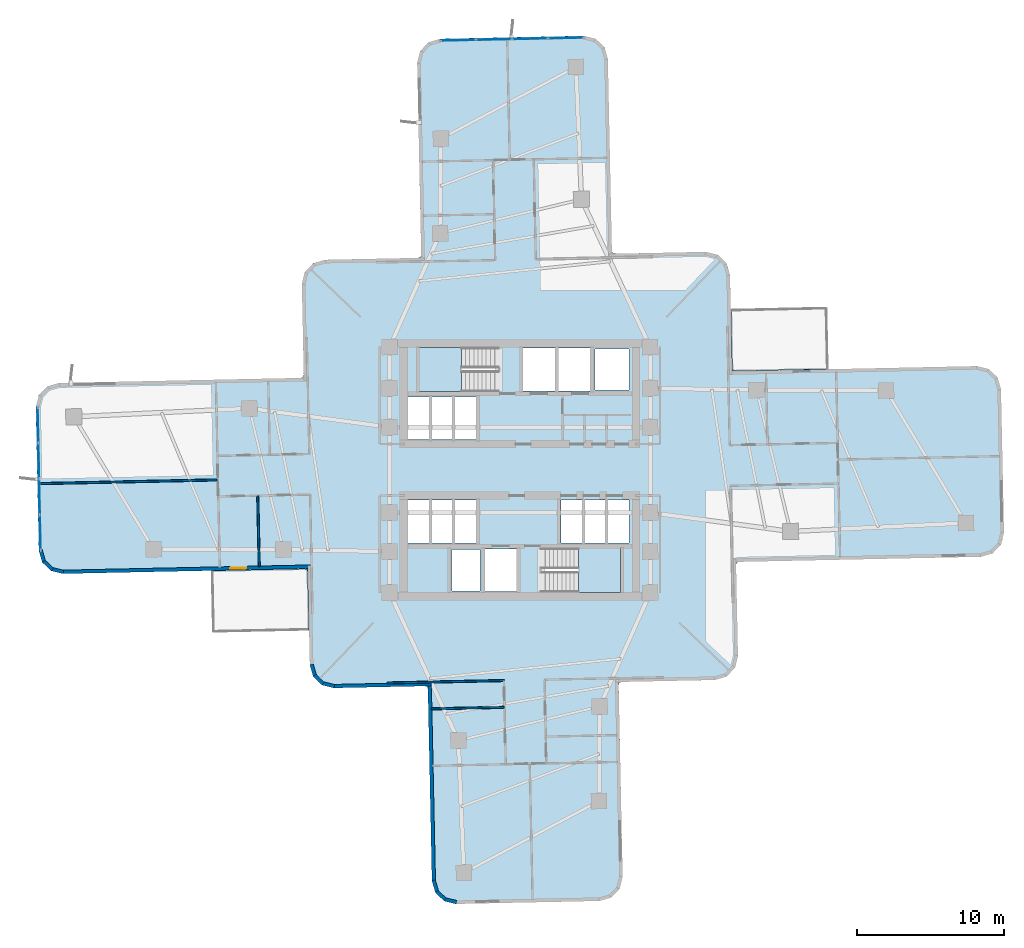
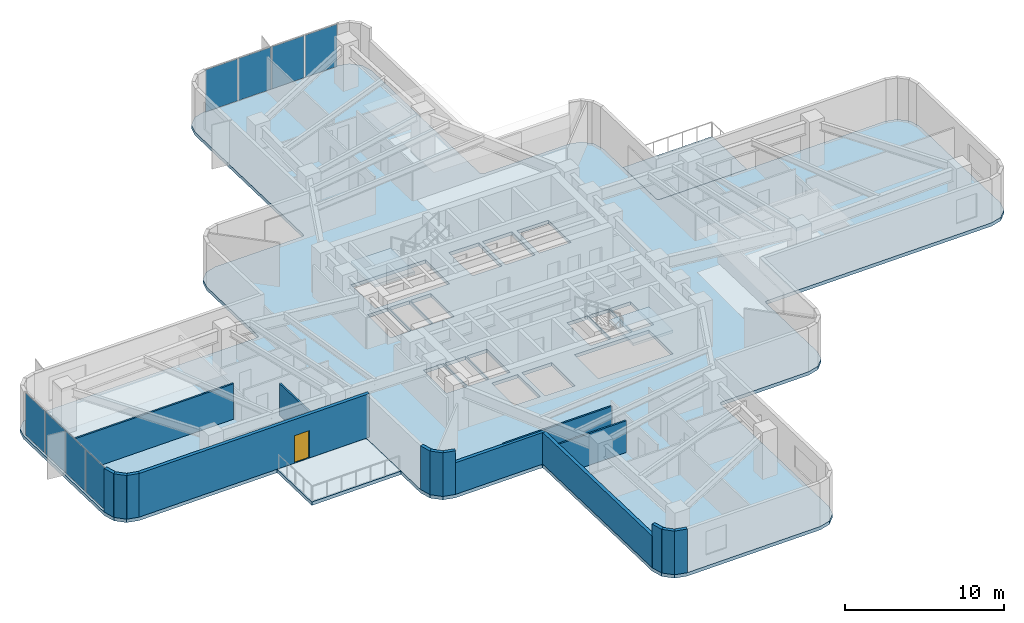
# One storey, part 7 of 15: 16 walls, 8 plates, 5 slabs, 1 door, 1 opening, 4 elements without a shape of their own.
"""IFC4 building model written with IfcOpenShell, lengths in metres."""

from ifc_helpers import new_model, si_unit, direction, frame, frame_2d, origin, origin_2d, place, context, subcontext, project, spatial, polyline, rectangle, outline, extrude, material, layer, layer_set, type_object, element, fill, aggregate, save


model = new_model("IFC4")

# Units and contexts
model_context = context("Model", 3, precision=1e-05, world=origin(), true_north=direction((0.0, 1.0)))
body_context = subcontext(model_context, "Body", "Model", "MODEL_VIEW")
ifc_project = project(units=[si_unit("LENGTHUNIT", "METRE"), si_unit("AREAUNIT", "SQUARE_METRE"), si_unit("VOLUMEUNIT", "CUBIC_METRE"), si_unit("PLANEANGLEUNIT", "RADIAN"), si_unit("MASSUNIT", "GRAM", prefix="KILO")], contexts=[model_context])

# Site, building, storey
site_placement = place(None, origin())
site = spatial("IfcSite", under=ifc_project, at=site_placement, CompositionType="ELEMENT")
building_placement = place(site_placement, origin())
building = spatial("IfcBuilding", under=site, at=building_placement, Name="Solmarez Civic Tower", CompositionType="ELEMENT")
storey_placement = place(building_placement, frame((0.0, 0.0, 38.8798828125)))
storey = spatial("IfcBuildingStorey", under=building, at=storey_placement, Name="L09", CompositionType="ELEMENT", Elevation=38.8798828125)

# Curtain wall, plates
ifc_material_1 = material(Name="Bronze Anodised Aluminium EN AW-6063 T6", Category="aluminium")
ifc_layer_1 = layer(ifc_material_1, 0.155029296875)
ifc_layer_set_1 = layer_set([ifc_layer_1], Name="Bronze Anodised Aluminium EN AW-6063 T6")
curtain_wall_type = type_object("IfcCurtainWallType", Name="CW-SYS-6", PredefinedType="NOTDEFINED", material=ifc_layer_set_1)
curtain_wall_1_placement = place(storey_placement, origin())
curtain_wall_1 = element("IfcCurtainWall", 1, at=curtain_wall_1_placement, inside=storey, type_object=curtain_wall_type, Name="L09 Stick-Built Curtain Wall 1", PredefinedType="NOTDEFINED")
ifc_material_2 = material(Name="Solar Control Low-E Laminated Vision Glass", Category="glass")
ifc_layer_2 = layer(ifc_material_2, 0.031982421875)
ifc_layer_set_2 = layer_set([ifc_layer_2], Name="Solar Control Low-E Laminated Vision Glass")
plate_type = type_object("IfcPlateType", Name="CWP-GLAZ-32", PredefinedType="CURTAIN_PANEL", material=ifc_layer_set_2)
plate_1_placement = place(storey_placement, frame((-32.597900390625, -4.25341796875, 0.06005859375), z_axis=(0.0, 0.0, 1.0), x_axis=(-0.020962969398, 0.999780252813, 0.0)))
plate_1 = element("IfcPlate", 2, at=plate_1_placement, type_object=plate_type, Name="CWS6 panel 1.1", PredefinedType="CURTAIN_PANEL", context=body_context, shape_type="SweptSolid", body=[
    extrude(rectangle(XDim=2.33984375, YDim=0.031982421875, at=origin_2d()), origin(), (0.0, 0.0, 1.0), 3.219970703125),
])
plate_2_placement = place(storey_placement, frame((-32.64892578125, -1.82666015625, 0.06005859375), z_axis=(0.0, 0.0, 1.0), x_axis=(-0.020962969398, 0.999780252813, 0.0)))
plate_2 = element("IfcPlate", 3, at=plate_2_placement, type_object=plate_type, Name="CWS6 panel 2.1", PredefinedType="CURTAIN_PANEL", context=body_context, shape_type="SweptSolid", body=[
    extrude(rectangle(XDim=2.374755859375, YDim=0.031982421875, at=origin_2d()), origin(), (0.0, 0.0, 1.0), 3.219970703125),
])
plate_3_placement = place(storey_placement, frame((-32.7001953125, 0.61767578125, 0.06005859375), z_axis=(0.0, 0.0, 1.0), x_axis=(-0.020962969398, 0.999780252813, 0.0)))
plate_3 = element("IfcPlate", 4, at=plate_3_placement, type_object=plate_type, Name="CWS6 panel 3.1", PredefinedType="CURTAIN_PANEL", context=body_context, shape_type="SweptSolid", body=[
    extrude(rectangle(XDim=2.374755859375, YDim=0.031982421875, at=origin_2d()), origin(), (0.0, 0.0, 1.0), 3.219970703125),
])
plate_4_placement = place(storey_placement, frame((-32.7509765625, 3.04443359375, 0.06005859375), z_axis=(0.0, 0.0, 1.0), x_axis=(-0.020962969398, 0.999780252813, 0.0)))
plate_4 = element("IfcPlate", 5, at=plate_4_placement, type_object=plate_type, Name="CWS6 panel 4.1", PredefinedType="CURTAIN_PANEL", context=body_context, shape_type="SweptSolid", body=[
    extrude(rectangle(XDim=2.33984375, YDim=0.031982421875, at=origin_2d()), origin(), (0.0, 0.0, 1.0), 3.219970703125),
])
aggregate(curtain_wall_1, [plate_1, plate_2, plate_3, plate_4])

curtain_wall_2_placement = place(storey_placement, origin())
curtain_wall_2 = element("IfcCurtainWall", 6, at=curtain_wall_2_placement, inside=storey, type_object=curtain_wall_type, Name="L09 Stick-Built Curtain Wall 2", PredefinedType="NOTDEFINED")
plate_5_placement = place(storey_placement, frame((-4.181396484375, 29.197998046875, 0.06005859375), z_axis=(0.0, 0.0, 1.0), x_axis=(0.999778059041, 0.021067336354, 0.0)))
plate_5 = element("IfcPlate", 7, at=plate_5_placement, type_object=plate_type, Name="CWS6 panel 1.1", PredefinedType="CURTAIN_PANEL", context=body_context, shape_type="SweptSolid", body=[
    extrude(rectangle(XDim=2.339599609375, YDim=0.031982421875, at=origin_2d()), origin(), (0.0, 0.0, 1.0), 3.219970703125),
])
plate_6_placement = place(storey_placement, frame((-1.7548828125, 29.249267578125, 0.06005859375), z_axis=(0.0, 0.0, 1.0), x_axis=(0.999778059041, 0.021067336354, 0.0)))
plate_6 = element("IfcPlate", 8, at=plate_6_placement, type_object=plate_type, Name="CWS6 panel 2.1", PredefinedType="CURTAIN_PANEL", context=body_context, shape_type="SweptSolid", body=[
    extrude(rectangle(XDim=2.37451171875, YDim=0.031982421875, at=origin_2d()), origin(), (0.0, 0.0, 1.0), 3.219970703125),
])
plate_7_placement = place(storey_placement, frame((0.68896484375, 29.30078125, 0.06005859375), z_axis=(0.0, 0.0, 1.0), x_axis=(0.999778059041, 0.021067336354, 0.0)))
plate_7 = element("IfcPlate", 9, at=plate_7_placement, type_object=plate_type, Name="CWS6 panel 3.1", PredefinedType="CURTAIN_PANEL", context=body_context, shape_type="SweptSolid", body=[
    extrude(rectangle(XDim=2.37451171875, YDim=0.031982421875, at=origin_2d()), origin(), (0.0, 0.0, 1.0), 3.219970703125),
])
plate_8_placement = place(storey_placement, frame((3.115478515625, 29.351806640625, 0.06005859375), z_axis=(0.0, 0.0, 1.0), x_axis=(0.999778059041, 0.021067336354, 0.0)))
plate_8 = element("IfcPlate", 10, at=plate_8_placement, type_object=plate_type, Name="CWS6 panel 4.1", PredefinedType="CURTAIN_PANEL", context=body_context, shape_type="SweptSolid", body=[
    extrude(rectangle(XDim=2.339599609375, YDim=0.031982421875, at=origin_2d()), origin(), (0.0, 0.0, 1.0), 3.219970703125),
])
aggregate(curtain_wall_2, [plate_5, plate_6, plate_7, plate_8])

# Stair, slab
ifc_material_3 = material(Name="Concrete C50/60", Category="concrete")
stair_type = type_object("IfcStairType", Name="STAIR-DOGLEG-140W-20R-1800", PredefinedType="HALF_TURN_STAIR", material=ifc_material_3)
stair_1_placement = place(storey_placement, origin())
stair_1 = element("IfcStair", 11, at=stair_1_placement, inside=storey, type_object=stair_type, Name="L09 North Core Protected Exit Stair ST-1", PredefinedType="HALF_TURN_STAIR")
ifc_layer_3 = layer(ifc_material_3, 0.199951171875)
ifc_layer_set_3 = layer_set([ifc_layer_3], Name="Concrete C50/60")
slab_type_1 = type_object("IfcSlabType", Name="SLAB-LANDING-200", PredefinedType="LANDING", material=ifc_layer_set_3)
slab_1_placement = place(storey_placement, frame((0.0, 0.0, 1.60009765625)))
slab_1 = element("IfcSlab", 12, at=slab_1_placement, type_object=slab_type_1, Name="ST-1 landing 1", PredefinedType="LANDING", context=body_context, shape_type="SweptSolid", body=[
    extrude(outline(polyline([(-3.969970703125, 8.320068359375), (-6.85009765625, 8.320068359375), (-6.85009765625, 5.320068359375), (-3.969970703125, 5.320068359375), (-3.969970703125, 8.320068359375)])), origin(), (0.0, 0.0, 1.0), 0.199951171875),
])
aggregate(stair_1, [slab_1])

stair_2_placement = place(storey_placement, origin())
stair_2 = element("IfcStair", 13, at=stair_2_placement, inside=storey, type_object=stair_type, Name="L09 South Core Protected Exit Stair ST-2", PredefinedType="HALF_TURN_STAIR")
slab_2_placement = place(storey_placement, frame((0.0, 0.0, 1.60009765625)))
slab_2 = element("IfcSlab", 14, at=slab_2_placement, type_object=slab_type_1, Name="ST-2 landing 1", PredefinedType="LANDING", context=body_context, shape_type="SweptSolid", body=[
    extrude(outline(polyline([(3.969970703125, -8.320068359375), (6.85009765625, -8.320068359375), (6.85009765625, -5.320068359375), (3.969970703125, -5.320068359375), (3.969970703125, -8.320068359375)])), origin(), (0.0, 0.0, 1.0), 0.199951171875),
])
aggregate(stair_2, [slab_2])

# Slabs
ifc_layer_4 = layer(ifc_material_3, 0.260009765625)
ifc_layer_set_4 = layer_set([ifc_layer_4], Name="Concrete C50/60")
slab_type_2 = type_object("IfcSlabType", Name="SLAB-TOWER-260", PredefinedType="FLOOR", material=ifc_layer_set_4)
slab_3_placement = place(storey_placement, frame((0.0, 0.0, -0.259765625)))
element("IfcSlab", 15, at=slab_3_placement, inside=storey, type_object=slab_type_2, Name="L09 Structural Slab", PredefinedType="FLOOR", context=body_context, shape_type="SweptSolid", body=[
    extrude(outline(polyline([(-14.407958984375, -6.9140625), (-14.27587890625, -13.251953125), (-14.044921875, -14.047119140625), (-13.447021484375, -14.6201171875), (-12.64208984375, -14.818115234375), (-6.464111328125, -14.68896484375), (-6.297119140625, -14.72998046875), (-6.2490234375, -14.89501953125), (-5.97607421875, -27.930908203125), (-5.7451171875, -28.72705078125), (-5.14794921875, -29.300048828125), (-4.343017578125, -29.4970703125), (5.4150390625, -29.29296875), (6.2099609375, -29.06201171875), (6.782958984375, -28.464111328125), (6.98095703125, -27.659912109375), (6.7080078125, -14.623046875), (6.7490234375, -14.4560546875), (6.9140625, -14.407958984375), (13.251953125, -14.27587890625), (14.047119140625, -14.044921875), (14.6201171875, -13.447021484375), (14.818115234375, -12.64208984375), (14.68896484375, -6.464111328125), (14.72998046875, -6.297119140625), (14.89501953125, -6.2490234375), (31.3310546875, -5.905029296875), (32.1259765625, -5.674072265625), (32.698974609375, -5.075927734375), (32.89697265625, -4.27197265625), (32.69189453125, 5.486083984375), (32.4609375, 6.281005859375), (31.863037109375, 6.85400390625), (31.05908203125, 7.052001953125), (14.623046875, 6.7080078125), (14.4560546875, 6.7490234375), (14.407958984375, 6.9140625), (14.27587890625, 13.251953125), (14.044921875, 14.047119140625), (13.447021484375, 14.6201171875), (12.64208984375, 14.818115234375), (6.464111328125, 14.68896484375), (6.297119140625, 14.72998046875), (6.2490234375, 14.89501953125), (5.97607421875, 27.930908203125), (5.7451171875, 28.72705078125), (5.14794921875, 29.300048828125), (4.343017578125, 29.4970703125), (-5.4150390625, 29.29296875), (-6.2099609375, 29.06201171875), (-6.782958984375, 28.464111328125), (-6.98095703125, 27.659912109375), (-6.7080078125, 14.623046875), (-6.7490234375, 14.4560546875), (-6.9140625, 14.407958984375), (-13.251953125, 14.27587890625), (-14.047119140625, 14.044921875), (-14.6201171875, 13.447021484375), (-14.818115234375, 12.64208984375), (-14.68896484375, 6.464111328125), (-14.72998046875, 6.297119140625), (-14.89501953125, 6.2490234375), (-31.3310546875, 5.905029296875), (-32.1259765625, 5.674072265625), (-32.698974609375, 5.075927734375), (-32.89697265625, 4.27197265625), (-32.69189453125, -5.486083984375), (-32.4609375, -6.281005859375), (-31.863037109375, -6.85400390625), (-31.05908203125, -7.052001953125), (-14.623046875, -6.7080078125), (-14.4560546875, -6.7490234375), (-14.407958984375, -6.9140625)]), holes=[polyline([(-1.449951171875, 8.320068359375), (-6.85009765625, 8.320068359375), (-6.85009765625, 5.320068359375), (-1.449951171875, 5.320068359375), (-1.449951171875, 8.320068359375)]), polyline([(1.449951171875, -8.320068359375), (6.85009765625, -8.320068359375), (6.85009765625, -5.320068359375), (1.449951171875, -5.320068359375), (1.449951171875, -8.320068359375)]), polyline([(0.219970703125, 5.360107421875), (2.3798828125, 5.360107421875), (2.3798828125, 8.280029296875), (0.219970703125, 8.280029296875), (0.219970703125, 5.360107421875)]), polyline([(2.6201171875, 5.360107421875), (4.780029296875, 5.360107421875), (4.780029296875, 8.280029296875), (2.6201171875, 8.280029296875), (2.6201171875, 5.360107421875)]), polyline([(-2.3798828125, -8.280029296875), (-0.219970703125, -8.280029296875), (-0.219970703125, -5.360107421875), (-2.3798828125, -5.360107421875), (-2.3798828125, -8.280029296875)]), polyline([(2.800048828125, -4.9599609375), (4.280029296875, -4.9599609375), (4.280029296875, -2.06005859375), (2.800048828125, -2.06005859375), (2.800048828125, -4.9599609375)]), polyline([(4.360107421875, -4.9599609375), (5.840087890625, -4.9599609375), (5.840087890625, -2.06005859375), (4.360107421875, -2.06005859375), (4.360107421875, -4.9599609375)]), polyline([(5.919921875, -4.9599609375), (7.39990234375, -4.9599609375), (7.39990234375, -2.06005859375), (5.919921875, -2.06005859375), (5.919921875, -4.9599609375)]), polyline([(-7.60009765625, -4.9599609375), (-6.1201171875, -4.9599609375), (-6.1201171875, -2.06005859375), (-7.60009765625, -2.06005859375), (-7.60009765625, -4.9599609375)]), polyline([(-6.0400390625, -4.9599609375), (-4.56005859375, -4.9599609375), (-4.56005859375, -2.06005859375), (-6.0400390625, -2.06005859375), (-6.0400390625, -4.9599609375)]), polyline([(-4.47998046875, -4.9599609375), (-3.0, -4.9599609375), (-3.0, -2.06005859375), (-4.47998046875, -2.06005859375), (-4.47998046875, -4.9599609375)]), polyline([(-7.60009765625, 2.06005859375), (-6.1201171875, 2.06005859375), (-6.1201171875, 4.9599609375), (-7.60009765625, 4.9599609375), (-7.60009765625, 2.06005859375)]), polyline([(-6.0400390625, 2.06005859375), (-4.56005859375, 2.06005859375), (-4.56005859375, 4.9599609375), (-6.0400390625, 4.9599609375), (-6.0400390625, 2.06005859375)]), polyline([(-4.47998046875, 2.06005859375), (-3.0, 2.06005859375), (-3.0, 4.9599609375), (-4.47998046875, 4.9599609375), (-4.47998046875, 2.06005859375)]), polyline([(5.10009765625, 5.419921875), (7.39990234375, 5.419921875), (7.39990234375, 8.219970703125), (5.10009765625, 8.219970703125), (5.10009765625, 5.419921875)]), polyline([(-4.60009765625, -8.219970703125), (-2.699951171875, -8.219970703125), (-2.699951171875, -5.419921875), (-4.60009765625, -5.419921875), (-4.60009765625, -8.219970703125)])]), origin(), (0.0, 0.0, 1.0), 0.259765625),
])
slab_4_placement = place(storey_placement, frame((0.0, 0.0, -0.259765625)))
element("IfcSlab", 16, at=slab_4_placement, inside=storey, type_object=slab_type_2, Name="L09 Re-entrant Corner Winter-Garden Balcony NE", PredefinedType="FLOOR", context=body_context, shape_type="SweptSolid", body=[
    extrude(outline(polyline([(14.326904296875, 10.902099609375), (14.409912109375, 6.9140625), (14.4580078125, 6.75), (14.6240234375, 6.7099609375), (20.9609375, 6.842041015625), (20.873046875, 11.0400390625), (14.326904296875, 10.902099609375)])), origin(), (0.0, 0.0, 1.0), 0.259765625),
])
slab_5_placement = place(storey_placement, frame((0.0, 0.0, -0.259765625)))
element("IfcSlab", 17, at=slab_5_placement, inside=storey, type_object=slab_type_2, Name="L09 Re-entrant Corner Winter-Garden Balcony SW", PredefinedType="FLOOR", context=body_context, shape_type="SweptSolid", body=[
    extrude(outline(polyline([(-14.326904296875, -10.902099609375), (-14.409912109375, -6.9140625), (-14.4580078125, -6.75), (-14.6240234375, -6.7099609375), (-20.9609375, -6.842041015625), (-20.873046875, -11.0400390625), (-14.326904296875, -10.902099609375)])), origin(), (0.0, 0.0, 1.0), 0.259765625),
])

# Wall, opening, door
ifc_material_4 = material(Name="Precast concrete C40/50", Category="concrete")
ifc_layer_5 = layer(ifc_material_4, 0.239990234375)
ifc_layer_set_5 = layer_set([ifc_layer_5], Name="Precast concrete C40/50")
wall_type_1 = type_object("IfcWallType", Name="WALL-EXT-240", PredefinedType="SOLIDWALL", material=ifc_layer_set_5)
wall_1_placement = place(storey_placement, frame((-14.199951171875, -6.577880859375, 0.0), z_axis=(0.0, 0.0, 1.0), x_axis=(-0.999778412505, -0.021050555542, 0.0)))
wall_1 = element("IfcWall", 18, at=wall_1_placement, inside=storey, type_object=wall_type_1, Name="L09 Exterior Precast Wall 2", PredefinedType="SOLIDWALL", context=body_context, shape_type="SweptSolid", body=[
    extrude(rectangle(XDim=16.874755859375, YDim=0.239990234375, at=frame_2d((8.4375, 0.0))), origin(), (0.0, 0.0, 1.0), 3.340087890625),
])
opening_placement = place(wall_1_placement, frame((4.39990234375, 0.0, 0.0)))
opening = element("IfcOpeningElement", 19, at=opening_placement, cuts=wall_1, Name="Opening D-06", PredefinedType="OPENING", context=body_context, shape_type="SweptSolid", body=[
    extrude(rectangle(XDim=1.10009765625, YDim=2.10009765625, at=frame_2d((0.550048828125, 1.050048828125))), frame((0.0, 0.1298828125, 0.0), z_axis=(0.0, -1.0, 0.0), x_axis=(1.0, 0.0, 0.0)), (0.0, 0.0, 1.0), 0.260009765625),
])
ifc_material_5 = material(Name="Bronze Anodised Aluminium Glazed Terrace Door", Category="aluminium")
door_type = type_object("IfcDoorType", Name="DOOR-TERR-1100", OperationType="NOTDEFINED", PredefinedType="DOOR", material=ifc_material_5)
door_placement = place(opening_placement, origin())
door = element("IfcDoor", 20, at=door_placement, inside=storey, type_object=door_type, Name="L09 Outdoor Terrace Glazed Door", OperationType="SINGLE_SWING_RIGHT", OverallHeight=2.10009765625, OverallWidth=1.10009765625, PredefinedType="DOOR", context=body_context, shape_type="SweptSolid", body=[
    extrude(rectangle(XDim=1.10009765625, YDim=2.10009765625, at=frame_2d((0.550048828125, 1.050048828125))), frame((0.0, 0.02490234375, 0.0), z_axis=(0.0, -1.0, 0.0), x_axis=(1.0, 0.0, 0.0)), (0.0, 0.0, 1.0), 0.050048828125),
])
fill(opening, door)

# Walls
wall_2_placement = place(storey_placement, frame((-31.02197265625, -6.93798828125, 0.0), z_axis=(0.0, 0.0, 1.0), x_axis=(-0.971120878097, 0.238588013371, 0.0)))
element("IfcWall", 21, at=wall_2_placement, inside=storey, type_object=wall_type_1, Name="L09 Exterior Precast Wall 3", PredefinedType="SOLIDWALL", context=body_context, shape_type="SweptSolid", body=[
    extrude(rectangle(XDim=0.829833984375, YDim=0.239990234375, at=frame_2d((0.4150390625, 0.0))), origin(), (0.0, 0.0, 1.0), 3.340087890625),
])
wall_3_placement = place(storey_placement, frame((-31.785888671875, -6.762939453125, 0.0), z_axis=(0.0, 0.0, 1.0), x_axis=(-0.721807017337, 0.692094379202, 0.0)))
element("IfcWall", 22, at=wall_3_placement, inside=storey, type_object=wall_type_1, Name="L09 Exterior Precast Wall 4", PredefinedType="SOLIDWALL", context=body_context, shape_type="SweptSolid", body=[
    extrude(rectangle(XDim=0.8134765625, YDim=0.239990234375, at=frame_2d((0.40673828125, 0.0))), origin(), (0.0, 0.0, 1.0), 3.340087890625),
])
for number, where, z_axis, x_axis, name in (
    (23, (-32.347900390625, -6.240966796875, 0.0), (0.0, 0.0, 1.0), (-0.2797289077, 0.960079027058, 0.0), "L09 Exterior Precast Wall 5"),
    (24, (-4.305908203125, -29.383056640625, 0.0), (0.0, 0.0, 1.0), (-0.97113761746, 0.238519869098, 0.0), "L09 Exterior Precast Wall 61"),
):
    element("IfcWall", number, at=place(storey_placement, frame(where, z_axis=z_axis, x_axis=x_axis)), inside=storey, type_object=wall_type_1, Name=name, PredefinedType="SOLIDWALL", context=body_context, shape_type="SweptSolid", body=[
        extrude(rectangle(XDim=0.830078125, YDim=0.239990234375, at=frame_2d((0.4150390625, 0.0))), origin(), (0.0, 0.0, 1.0), 3.340087890625),
    ])
wall_4_placement = place(storey_placement, frame((-5.070068359375, -29.2080078125, 0.0), z_axis=(0.0, 0.0, 1.0), x_axis=(-0.721663211076, 0.692244328095, 0.0)))
element("IfcWall", 25, at=wall_4_placement, inside=storey, type_object=wall_type_1, Name="L09 Exterior Precast Wall 62", PredefinedType="SOLIDWALL", context=body_context, shape_type="SweptSolid", body=[
    extrude(rectangle(XDim=0.813232421875, YDim=0.239990234375, at=frame_2d((0.40673828125, 0.0))), origin(), (0.0, 0.0, 1.0), 3.340087890625),
])
wall_5_placement = place(storey_placement, frame((-5.632080078125, -28.68603515625, 0.0), z_axis=(0.0, 0.0, 1.0), x_axis=(-0.279378838128, 0.960180954199, 0.0)))
element("IfcWall", 26, at=wall_5_placement, inside=storey, type_object=wall_type_1, Name="L09 Exterior Precast Wall 63", PredefinedType="SOLIDWALL", context=body_context, shape_type="SweptSolid", body=[
    extrude(rectangle(XDim=0.830078125, YDim=0.239990234375, at=frame_2d((0.4150390625, 0.0))), origin(), (0.0, 0.0, 1.0), 3.340087890625),
])
wall_6_placement = place(storey_placement, frame((-5.85595703125, -27.93798828125, 0.0), z_axis=(0.0, 0.0, 1.0), x_axis=(-0.020997453553, 0.999779529168, 0.0)))
element("IfcWall", 27, at=wall_6_placement, inside=storey, type_object=wall_type_1, Name="L09 Exterior Precast Wall 64", PredefinedType="SOLIDWALL", context=body_context, shape_type="SweptSolid", body=[
    extrude(rectangle(XDim=13.475830078125, YDim=0.239990234375, at=frame_2d((6.73779296875, 0.0))), origin(), (0.0, 0.0, 1.0), 2.421142578125),
])
wall_7_placement = place(storey_placement, frame((-6.041015625, -14.55908203125, 0.0), z_axis=(0.0, 0.0, 1.0), x_axis=(-0.999776327957, -0.021149327571, 0.0)))
element("IfcWall", 28, at=wall_7_placement, inside=storey, type_object=wall_type_1, Name="L09 Exterior Precast Wall 67", PredefinedType="SOLIDWALL", context=body_context, shape_type="SweptSolid", body=[
    extrude(rectangle(XDim=6.614501953125, YDim=0.239990234375, at=frame_2d((3.30712890625, 0.0))), origin(), (0.0, 0.0, 1.0), 2.421142578125),
])
wall_8_placement = place(storey_placement, frame((-12.60498046875, -14.7041015625, 0.0), z_axis=(0.0, 0.0, 1.0), x_axis=(-0.971120878097, 0.238588013371, 0.0)))
element("IfcWall", 29, at=wall_8_placement, inside=storey, type_object=wall_type_1, Name="L09 Exterior Precast Wall 68", PredefinedType="SOLIDWALL", context=body_context, shape_type="SweptSolid", body=[
    extrude(rectangle(XDim=0.829833984375, YDim=0.239990234375, at=frame_2d((0.4150390625, 0.0))), origin(), (0.0, 0.0, 1.0), 3.340087890625),
])
wall_9_placement = place(storey_placement, frame((-13.368896484375, -14.529052734375, 0.0), z_axis=(0.0, 0.0, 1.0), x_axis=(-0.721807017337, 0.692094379202, 0.0)))
element("IfcWall", 30, at=wall_9_placement, inside=storey, type_object=wall_type_1, Name="L09 Exterior Precast Wall 69", PredefinedType="SOLIDWALL", context=body_context, shape_type="SweptSolid", body=[
    extrude(rectangle(XDim=0.8134765625, YDim=0.239990234375, at=frame_2d((0.40673828125, 0.0))), origin(), (0.0, 0.0, 1.0), 3.340087890625),
])
wall_10_placement = place(storey_placement, frame((-13.930908203125, -14.007080078125, 0.0), z_axis=(0.0, 0.0, 1.0), x_axis=(-0.279649933772, 0.960102033401, 0.0)))
element("IfcWall", 31, at=wall_10_placement, inside=storey, type_object=wall_type_1, Name="L09 Exterior Precast Wall 70", PredefinedType="SOLIDWALL", context=body_context, shape_type="SweptSolid", body=[
    extrude(rectangle(XDim=0.830322265625, YDim=0.239990234375, at=frame_2d((0.4150390625, 0.0))), origin(), (0.0, 0.0, 1.0), 3.340087890625),
])
ifc_material_6 = material(Name="Gypsum Board Acoustic Steel-Stud Partition", Category="steel")
ifc_layer_6 = layer(ifc_material_6, 0.1201171875)
ifc_layer_set_6 = layer_set([ifc_layer_6], Name="Gypsum Board Acoustic Steel-Stud Partition")
wall_type_2 = type_object("IfcWallType", Name="WALL-INT-PART-120", PredefinedType="PARTITIONING", material=ifc_layer_set_6)
wall_11_placement = place(storey_placement, frame((-17.81689453125, -1.77392578125, 0.0), z_axis=(0.0, 0.0, 1.0), x_axis=(0.021032428786, -0.999778794004, 0.0)))
element("IfcWall", 32, at=wall_11_placement, inside=storey, type_object=wall_type_2, Name="L09 Interior Partition PT-L09-W-LM", PredefinedType="PARTITIONING", context=body_context, shape_type="SweptSolid", body=[
    extrude(rectangle(XDim=4.7939453125, YDim=0.1201171875, at=frame_2d((2.39697265625, 0.0))), origin(), (0.0, 0.0, 1.0), 2.421142578125),
])
wall_12_placement = place(storey_placement, frame((-20.580078125, -0.680908203125, 0.0), z_axis=(0.0, 0.0, 1.0), x_axis=(-0.99978146579, -0.020905039192, 0.0)))
element("IfcWall", 33, at=wall_12_placement, inside=storey, type_object=wall_type_2, Name="L09 Interior Partition PT-L09-W-TM", PredefinedType="PARTITIONING", context=body_context, shape_type="SweptSolid", body=[
    extrude(rectangle(XDim=12.005615234375, YDim=0.1201171875, at=frame_2d((6.0029296875, 0.0))), origin(), (0.0, 0.0, 1.0), 2.72021484375),
])
wall_13_placement = place(storey_placement, frame((-9.01806640625, -14.48193359375, 0.0), z_axis=(0.0, 0.0, 1.0), x_axis=(0.999781922757, 0.020883173321, 0.0)))
element("IfcWall", 34, at=wall_13_placement, inside=storey, type_object=wall_type_2, Name="L09 Interior Partition PT-L09-S-EFR", PredefinedType="PARTITIONING", context=body_context, shape_type="SweptSolid", body=[
    extrude(rectangle(XDim=7.94970703125, YDim=0.1201171875, at=frame_2d((3.974853515625, 0.0))), origin(), (0.0, 0.0, 1.0), 2.421142578125),
])
wall_14_placement = place(storey_placement, frame((-6.01611328125, -16.239013671875, 0.0), z_axis=(0.0, 0.0, 1.0), x_axis=(0.999783825553, 0.02079187731, 0.0)))
element("IfcWall", 35, at=wall_14_placement, inside=storey, type_object=wall_type_2, Name="L09 Interior Partition PT-L09-S-RM", PredefinedType="PARTITIONING", context=body_context, shape_type="SweptSolid", body=[
    extrude(rectangle(XDim=4.955078125, YDim=0.1201171875, at=frame_2d((2.4775390625, 0.0))), origin(), (0.0, 0.0, 1.0), 2.421142578125),
])

save(model, "model.ifc")
